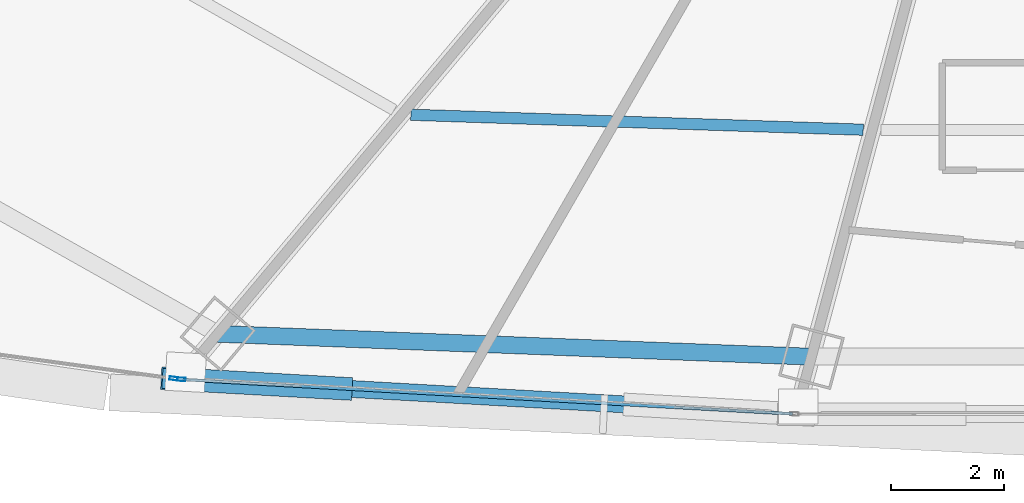
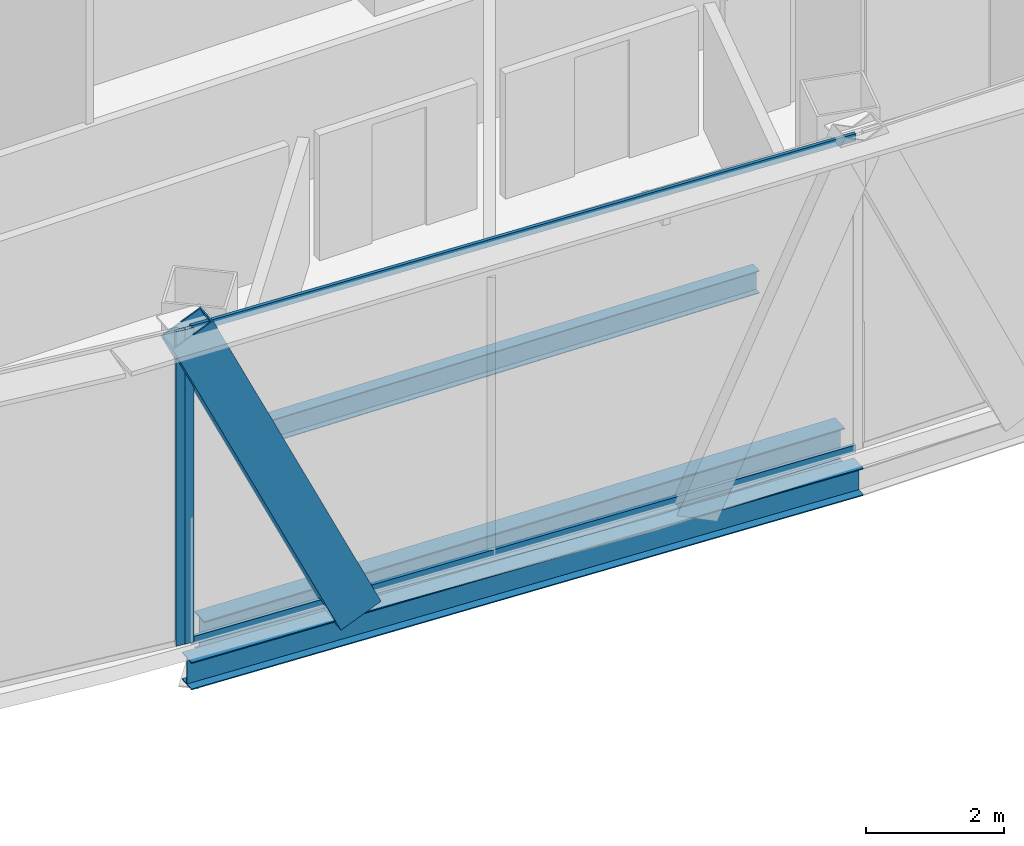
# One storey, part 6 of 40: 5 members, 3 beams, 2 elements without a shape of their own.
"""IFC4 building model written with IfcOpenShell, lengths in metres."""

from ifc_helpers import new_model, si_unit, direction, frame, origin, origin_2d, place, context, subcontext, project, spatial, hollow_rectangle, i_section, extrude, source, transform, mapped, material, layer, layer_set, material_profile, profile_set, type_object, element, aggregate, save


model = new_model("IFC4")

# Units and contexts
model_context = context("Model", 3, precision=1e-05, world=origin(), true_north=direction((0.0, 1.0)))
body_context = subcontext(model_context, "Body", "Model", "MODEL_VIEW")
ifc_project = project(units=[si_unit("LENGTHUNIT", "METRE"), si_unit("AREAUNIT", "SQUARE_METRE"), si_unit("VOLUMEUNIT", "CUBIC_METRE"), si_unit("PLANEANGLEUNIT", "RADIAN"), si_unit("MASSUNIT", "GRAM", prefix="KILO"), si_unit("THERMODYNAMICTEMPERATUREUNIT", "KELVIN"), si_unit("POWERUNIT", "WATT")], contexts=[model_context])

# Site, building, storey
site_placement = place(None, origin())
site = spatial("IfcSite", under=ifc_project, at=site_placement, CompositionType="ELEMENT")
building_placement = place(site_placement, origin())
building = spatial("IfcBuilding", under=site, at=building_placement, Name="Yunzhuo Pagoda Commons", CompositionType="ELEMENT")
storey_placement = place(building_placement, frame((0.0, 0.0, 170.31005859375)))
storey = spatial("IfcBuildingStorey", under=building, at=storey_placement, Name="L43", CompositionType="ELEMENT", Elevation=170.31005859375)

# Beams
ifc_material_1 = material(Name="Structural steel Q355B", Category="steel")
ifc_material_profile_1 = material_profile(ifc_material_1, i_section(OverallWidth=0.300048828125, OverallDepth=0.64990234375, WebThickness=0.012939453125, FlangeThickness=0.02197265625, at=origin_2d()), Name="Structural steel Q355B")
ifc_profile_set_1 = profile_set([ifc_material_profile_1], Name="Structural steel Q355B")
beam_type_1 = type_object("IfcBeamType", Name="B-RG2 Beam HN 650x300x13x22", PredefinedType="BEAM", material=ifc_profile_set_1)
shared_shape_1 = source(origin(), body_context, "Body", "SweptSolid", [
    extrude(i_section(OverallWidth=0.300048828125, OverallDepth=0.64990234375, WebThickness=0.012939453125, FlangeThickness=0.02197265625, at=origin_2d()), origin(), (0.0, 0.0, 1.0), 10.5078125),
])
beam_1_placement = place(storey_placement, frame((32.414794921875, 15.126220703125, -0.5849609375), z_axis=(0.999258632812, -0.03849915259, 0.0), x_axis=(0.03849915259, 0.999258632812, 0.0)))
element("IfcBeam", 1, at=beam_1_placement, inside=storey, type_object=beam_type_1, Name="L43 column-ring beam 1", PredefinedType="BEAM", context=body_context, shape_type="MappedRepresentation", body=[
    mapped(shared_shape_1, transform((0.0, 0.0, 0.0), scale=1.0)),
])
ifc_material_profile_2 = material_profile(ifc_material_1, i_section(OverallWidth=0.199951171875, OverallDepth=0.39990234375, WebThickness=0.008056640625, FlangeThickness=0.012939453125, at=origin_2d()), Name="Structural steel Q355B")
ifc_profile_set_2 = profile_set([ifc_material_profile_2], Name="Structural steel Q355B")
beam_type_2 = type_object("IfcBeamType", Name="B-JS1 Joist HN 400x200x8x13", PredefinedType="JOIST", material=ifc_profile_set_2)
shared_shape_2 = source(origin(), body_context, "Body", "SweptSolid", [
    extrude(i_section(OverallWidth=0.199951171875, OverallDepth=0.39990234375, WebThickness=0.008056640625, FlangeThickness=0.012939453125, at=origin_2d()), origin(), (0.0, 0.0, 1.0), 8.00537109375),
])
beam_2_placement = place(storey_placement, frame((35.8291015625, 19.00048828125, -0.4599609375), z_axis=(0.999453403952, -0.033058937199, 0.0), x_axis=(0.033058937199, 0.999453403952, 0.0)))
element("IfcBeam", 2, at=beam_2_placement, inside=storey, type_object=beam_type_2, Name="L43 composite ring joist 2.1", PredefinedType="JOIST", context=body_context, shape_type="MappedRepresentation", body=[
    mapped(shared_shape_2, transform((0.0, 0.0, 0.0), scale=1.0)),
])
ifc_material_profile_3 = material_profile(ifc_material_1, i_section(OverallWidth=0.300048828125, OverallDepth=0.488037109375, WebThickness=0.010986328125, FlangeThickness=0.01806640625, at=origin_2d()), Name="Structural steel Q355B")
ifc_profile_set_3 = profile_set([ifc_material_profile_3], Name="Structural steel Q355B")
beam_type_3 = type_object("IfcBeamType", Name="B-SP1 Beam HM 488x300x11x18", PredefinedType="BEAM", material=ifc_profile_set_3)
shared_shape_3 = source(origin(), body_context, "Body", "SweptSolid", [
    extrude(i_section(OverallWidth=0.300048828125, OverallDepth=0.488037109375, WebThickness=0.010986328125, FlangeThickness=0.01806640625, at=origin_2d()), origin(), (0.0, 0.0, 1.0), 10.920166015625),
])
beam_3_placement = place(storey_placement, frame((31.739990234375, 14.322265625, -0.504150390625), z_axis=(0.998412941388, -0.056316946557, 0.0), x_axis=(0.056316946557, 0.998412941388, 0.0)))
element("IfcBeam", 3, at=beam_3_placement, inside=storey, type_object=beam_type_3, Name="L43 facade edge spandrel beam F1.1", PredefinedType="BEAM", context=body_context, shape_type="MappedRepresentation", body=[
    mapped(shared_shape_3, transform((0.0, 0.0, 0.0), scale=1.0)),
])

# Member
ifc_material_profile_4 = material_profile(ifc_material_1, hollow_rectangle(XDim=0.39990234375, YDim=0.719970703125, WallThickness=0.02392578125, at=origin_2d()), Name="Structural steel Q355B")
ifc_profile_set_4 = profile_set([ifc_material_profile_4], Name="Structural steel Q355B")
member_type_1 = type_object("IfcMemberType", Name="M-DL2 Brace BOX 720x400x24", PredefinedType="BRACE", material=ifc_profile_set_4)
shared_shape_4 = source(origin(), body_context, "Body", "SweptSolid", [
    extrude(hollow_rectangle(XDim=0.39990234375, YDim=0.719970703125, WallThickness=0.02392578125, at=origin_2d()), origin(), (0.0, 0.0, 1.0), 6.437255859375),
])
member_1_placement = place(storey_placement, frame((34.465576171875, 14.168212890625, -0.260009765625), z_axis=(-0.423401650543, 0.023931067851, 0.905625941716), x_axis=(-0.056430894501, -0.998406507464, 0.0)))
element("IfcMember", 4, at=member_1_placement, inside=storey, type_object=member_type_1, Name="L43 facade diamond brace F1.1L", PredefinedType="BRACE", context=body_context, shape_type="MappedRepresentation", body=[
    mapped(shared_shape_4, transform((0.0, 0.0, 0.0), scale=1.0)),
])

# Curtain wall, members
ifc_material_2 = material(Name="Anodized aluminium 6063-T6", Category="aluminium")
ifc_layer = layer(ifc_material_2, 0.14990234375)
ifc_layer_set = layer_set([ifc_layer], Name="Anodized aluminium 6063-T6")
curtain_wall_type = type_object("IfcCurtainWallType", Name="CW-MID Mid-Zone Ribbon Curtain Wall", PredefinedType="NOTDEFINED", material=ifc_layer_set)
curtain_wall_1_placement = place(storey_placement, origin())
curtain_wall_1 = element("IfcCurtainWall", 5, at=curtain_wall_1_placement, inside=storey, type_object=curtain_wall_type, Name="L43 curtain wall CW-L43-F1B2", PredefinedType="NOTDEFINED")
ifc_material_profile_5 = material_profile(ifc_material_2, hollow_rectangle(XDim=0.054931640625, YDim=0.1298828125, WallThickness=0.00341796875, at=origin_2d()), Name="Anodized aluminium 6063-T6")
ifc_profile_set_5 = profile_set([ifc_material_profile_5], Name="Anodized aluminium 6063-T6")
member_type_2 = type_object("IfcMemberType", Name="CW-MID-T Transom RHS 130x55x3.5", PredefinedType="USERDEFINED", material=ifc_profile_set_5)
shared_shape_5 = source(origin(), body_context, "Body", "SweptSolid", [
    extrude(hollow_rectangle(XDim=0.054931640625, YDim=0.1298828125, WallThickness=0.00341796875, at=origin_2d()), origin(), (0.0, 0.0, 1.0), 10.80029296875),
])
member_2_placement = place(storey_placement, frame((31.7998046875, 14.31884765625, 0.02734375), z_axis=(0.998413399978, -0.05630881587, 0.0), x_axis=(0.05630881587, 0.998413399978, 0.0)))
member_2 = element("IfcMember", 6, at=member_2_placement, type_object=member_type_2, Name="CW transom 1.1", ObjectType="TRANSOM", PredefinedType="USERDEFINED", context=body_context, shape_type="MappedRepresentation", body=[
    mapped(shared_shape_5, transform((0.0, 0.0, 0.0), scale=1.0)),
])
member_3_placement = place(storey_placement, frame((31.7998046875, 14.31884765625, 5.54248046875), z_axis=(0.998413399978, -0.05630881587, 0.0), x_axis=(0.05630881587, 0.998413399978, 0.0)))
member_3 = element("IfcMember", 7, at=member_3_placement, type_object=member_type_2, Name="CW transom 1.2", ObjectType="TRANSOM", PredefinedType="USERDEFINED", context=body_context, shape_type="MappedRepresentation", body=[
    mapped(shared_shape_5, transform((0.0, 0.0, 0.0), scale=1.0)),
])
ifc_material_profile_6 = material_profile(ifc_material_2, hollow_rectangle(XDim=0.06005859375, YDim=0.14990234375, WallThickness=0.00390625, at=origin_2d()), Name="Anodized aluminium 6063-T6")
ifc_profile_set_6 = profile_set([ifc_material_profile_6], Name="Anodized aluminium 6063-T6")
member_type_3 = type_object("IfcMemberType", Name="CW-MID-M Mullion RHS 150x60x4", PredefinedType="MULLION", material=ifc_profile_set_6)
shared_shape_6 = source(origin(), body_context, "Body", "SweptSolid", [
    extrude(hollow_rectangle(XDim=0.06005859375, YDim=0.14990234375, WallThickness=0.00390625, at=origin_2d()), origin(), (0.0, 0.0, 1.0), 5.56982421875),
])
member_4_placement = place(storey_placement, frame((31.769775390625, 14.320556640625, 0.0), z_axis=(0.0, 0.0, 1.0), x_axis=(0.056298716731, 0.998413969501, 0.0)))
member_4 = element("IfcMember", 8, at=member_4_placement, type_object=member_type_3, Name="CW mullion 1", PredefinedType="MULLION", context=body_context, shape_type="MappedRepresentation", body=[
    mapped(shared_shape_6, transform((0.0, 0.0, 0.0), scale=1.0)),
])
aggregate(curtain_wall_1, [member_4, member_2, member_3])

# Curtain wall, member
curtain_wall_2_placement = place(storey_placement, origin())
curtain_wall_2 = element("IfcCurtainWall", 9, at=curtain_wall_2_placement, inside=storey, type_object=curtain_wall_type, Name="L43 curtain wall CW-L43-F1B1", PredefinedType="NOTDEFINED")
member_5_placement = place(storey_placement, frame((31.635986328125, 14.336181640625, 0.0), z_axis=(0.0, 0.0, 1.0), x_axis=(0.135767265879, 0.990740757976, 0.0)))
member_5 = element("IfcMember", 10, at=member_5_placement, type_object=member_type_3, Name="CW mullion 2", PredefinedType="MULLION", context=body_context, shape_type="MappedRepresentation", body=[
    mapped(shared_shape_6, transform((0.0, 0.0, 0.0), scale=1.0)),
])
aggregate(curtain_wall_2, [member_5])

save(model, "model.ifc")
